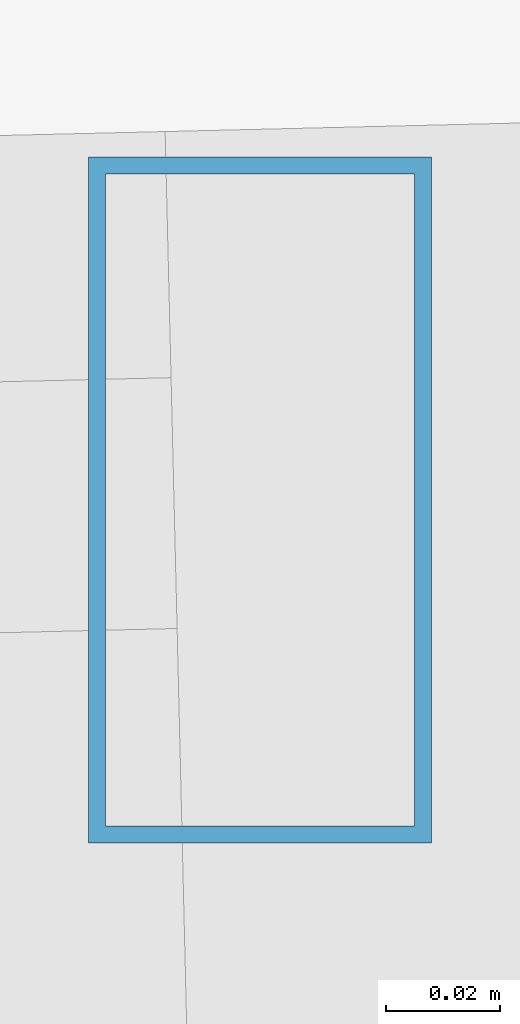
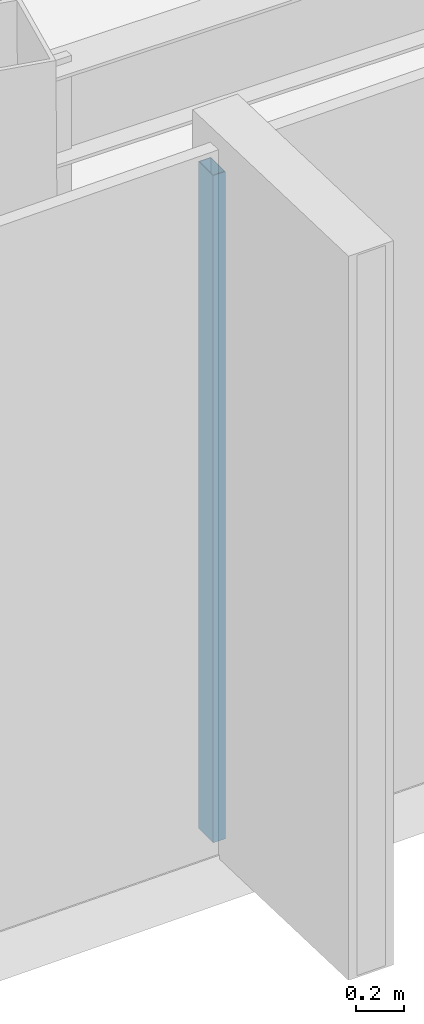
# One storey, part 15 of 45: 1 member, 1 element without a shape of its own.
"""IFC4 building model written with IfcOpenShell, lengths in metres."""

from ifc_helpers import new_model, si_unit, direction, frame, origin, origin_2d, place, context, subcontext, project, spatial, hollow_rectangle, extrude, source, transform, mapped, material, material_profile, profile_set, type_object, type_shapes, element, aggregate, save


model = new_model("IFC4")

# Units and contexts
model_context = context("Model", 3, precision=1e-05, world=origin(), true_north=direction((0.0, 1.0)))
body_context = subcontext(model_context, "Body", "Model", "MODEL_VIEW")
ifc_project = project(units=[si_unit("LENGTHUNIT", "METRE"), si_unit("AREAUNIT", "SQUARE_METRE"), si_unit("VOLUMEUNIT", "CUBIC_METRE"), si_unit("PLANEANGLEUNIT", "RADIAN"), si_unit("MASSUNIT", "GRAM", prefix="KILO")], contexts=[model_context])

# Site, building, storey
site_placement = place(None, origin())
site = spatial("IfcSite", under=ifc_project, at=site_placement, CompositionType="ELEMENT")
building_placement = place(site_placement, origin())
building = spatial("IfcBuilding", under=site, at=building_placement, Name="Caelisora Broadcast Tower", CompositionType="ELEMENT")
storey_placement = place(building_placement, frame((0.0, 0.0, 273.64990234375)))
storey = spatial("IfcBuildingStorey", under=building, at=storey_placement, Name="L72", CompositionType="ELEMENT", Elevation=273.64990234375)

# Curtain wall, member
ifc_material_1 = material(Name="Unitised Aluminium Insulated Shadow-Box Spandrel Curtain Wall", Category="aluminium")
curtain_wall_type = type_object("IfcCurtainWallType", Name="CW-SP3", PredefinedType="NOTDEFINED", material=ifc_material_1)
curtain_wall_placement = place(storey_placement, origin())
curtain_wall = element("IfcCurtainWall", 1, at=curtain_wall_placement, inside=storey, type_object=curtain_wall_type, Name="L72 curtain wall CW-SP3", PredefinedType="NOTDEFINED")
ifc_material_2 = material(Name="Aluminium 6063-T6 Anodised Terracotta Bronze", Category="aluminium")
ifc_material_profile = material_profile(ifc_material_2, hollow_rectangle(XDim=0.06005859375, YDim=0.1201171875, WallThickness=0.0029296875, at=origin_2d()), Name="Aluminium 6063-T6 Anodised Terracotta Bronze")
ifc_profile_set = profile_set([ifc_material_profile], Name="Aluminium 6063-T6 Anodised Terracotta Bronze")
member_type = type_object("IfcMemberType", Name="CWM-04", PredefinedType="MULLION", material=ifc_profile_set)
shared_shape = source(origin(), body_context, "Body", "SweptSolid", [
    extrude(hollow_rectangle(XDim=0.06005859375, YDim=0.1201171875, WallThickness=0.0029296875, at=origin_2d()), origin(), (0.0, 0.0, 1.0), 3.400146484375),
])
type_shapes(member_type, [shared_shape])
member_placement = place(storey_placement, frame((44.549072265625, 8.769775390625, 0.0), z_axis=(0.0, 0.0, 1.0), x_axis=(1.0, 0.0, 0.0)))
member = element("IfcMember", 2, at=member_placement, type_object=member_type, Name="L72-CW-B06 mullion #0", PredefinedType="MULLION", context=body_context, shape_type="MappedRepresentation", body=[
    mapped(shared_shape, transform((0.0, 0.0, 0.0), scale=1.0)),
])
aggregate(curtain_wall, [member])

save(model, "model.ifc")
